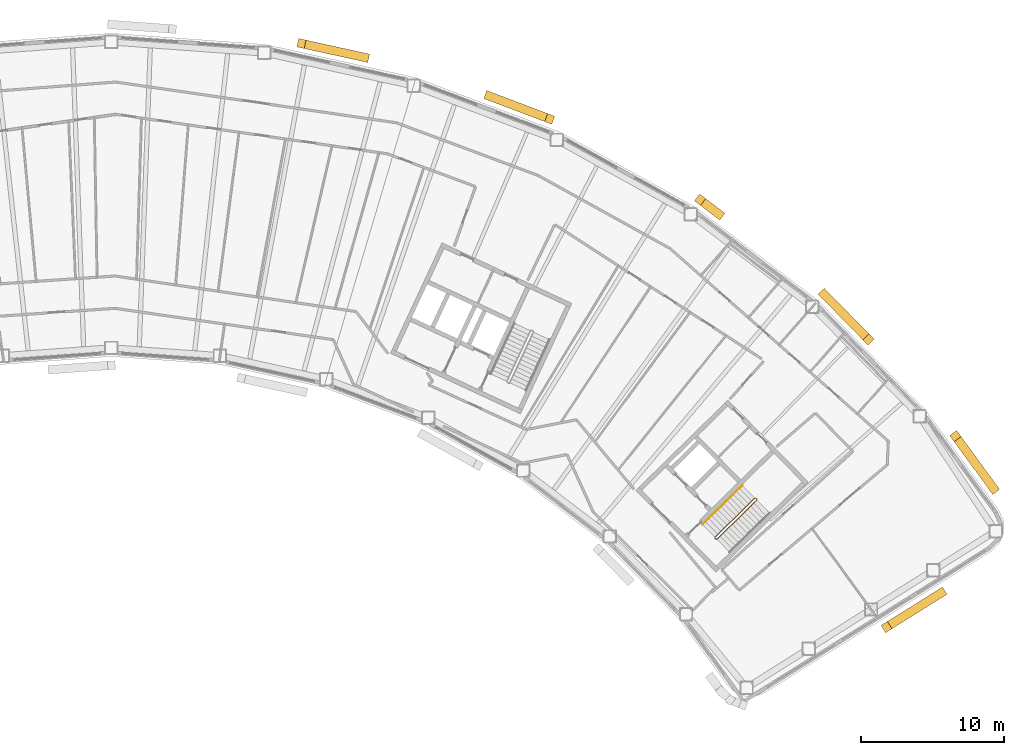
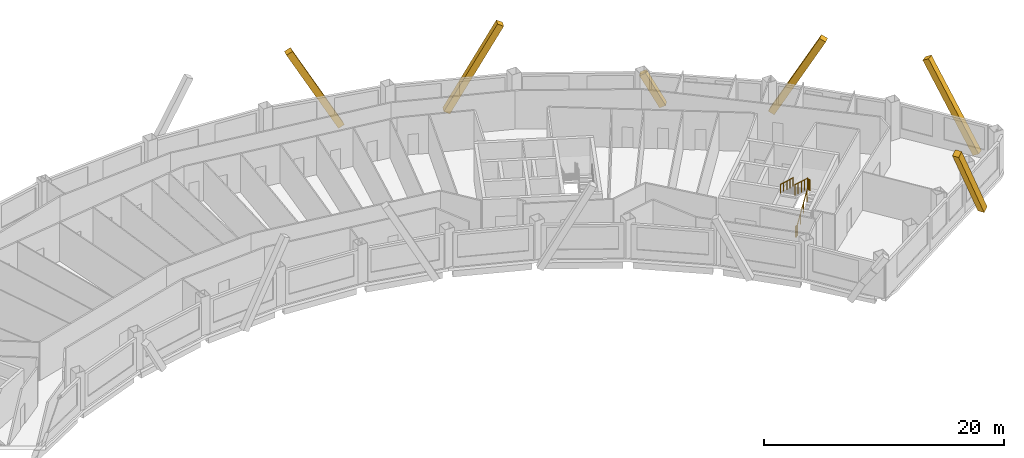
# One storey, part 14 of 14: 6 coverings, 2 railings.
"""IFC4 building model written with IfcOpenShell, lengths in metres."""

from ifc_helpers import new_model, si_unit, direction, frame, origin, origin_2d, place, context, subcontext, project, spatial, rectangle, circle, extrude, material, material_profile, profile_set, type_object, element, save


model = new_model("IFC4")

# Units and contexts
model_context = context("Model", 3, precision=1e-05, world=origin(), true_north=direction((0.0, 1.0)))
body_context = subcontext(model_context, "Body", "Model", "MODEL_VIEW")
ifc_project = project(units=[si_unit("LENGTHUNIT", "METRE"), si_unit("AREAUNIT", "SQUARE_METRE"), si_unit("VOLUMEUNIT", "CUBIC_METRE"), si_unit("PLANEANGLEUNIT", "RADIAN"), si_unit("MASSUNIT", "GRAM", prefix="KILO")], contexts=[model_context])

# Site, building, storey
site_placement = place(None, origin())
site = spatial("IfcSite", under=ifc_project, at=site_placement, CompositionType="ELEMENT")
building_placement = place(site_placement, origin())
building = spatial("IfcBuilding", under=site, at=building_placement, Name="Tuul Gate Civic Tower", CompositionType="ELEMENT")
storey_placement = place(building_placement, frame((0.0, 0.0, 217.89990234375)))
storey = spatial("IfcBuildingStorey", under=building, at=storey_placement, Name="Level 49", CompositionType="ELEMENT", Elevation=217.89990234375)

# Railings
ifc_material_1 = material(Name="Painted steel", Category="steel")
railing_type_1 = type_object("IfcRailingType", Name="Stair guard", PredefinedType="GUARDRAIL", material=ifc_material_1)
railing_1_placement = place(storey_placement, frame((48.10546875, -16.134765625, 0.0)))
element("IfcRailing", 1, at=railing_1_placement, inside=storey, type_object=railing_type_1, Name="Level 49 ST-3 stair guard 1", PredefinedType="GUARDRAIL", context=body_context, shape_type="SweptSolid", body=[
    extrude(circle(Radius=0.02392578125, at=origin_2d()), frame((0.0, 0.0, 1.076171875), z_axis=(-0.698506948293, 0.715603272202, 0.0), x_axis=(-0.715603272202, -0.698506948293, 0.0)), (0.0, 0.0, 1.0), 0.099853515625),
    extrude(circle(Radius=0.02392578125, at=origin_2d()), frame((-0.06982421875, 0.071533203125, 1.076171875), z_axis=(0.644948864628, -0.331432055434, 0.688617277337), x_axis=(0.457068866502, 0.889431307788, 0.0)), (0.0, 0.0, 1.0), 0.218017578125),
    extrude(circle(Radius=0.02392578125, at=origin_2d()), frame((0.07080078125, -0.000732421875, 1.22607421875), z_axis=(0.638731261263, 0.626133563701, 0.447190268558), x_axis=(-0.700029477518, 0.714113947914, 0.0)), (0.0, 0.0, 1.0), 4.3603515625),
    extrude(circle(Radius=0.02392578125, at=origin_2d()), frame((2.85595703125, 2.7294921875, 3.17626953125), z_axis=(0.010380063588, 0.999946125689, 0.0), x_axis=(-0.999946125689, 0.010380063588, 0.0)), (0.0, 0.0, 1.0), 0.070556640625),
    extrude(circle(Radius=0.02392578125, at=origin_2d()), frame((2.856689453125, 2.800048828125, 3.17626953125), z_axis=(-0.699754442181, 0.714383454909, 0.0), x_axis=(-0.714383454909, -0.699754442181, 0.0)), (0.0, 0.0, 1.0), 0.10009765625),
    extrude(circle(Radius=0.02392578125, at=origin_2d()), frame((2.78662109375, 2.87158203125, 3.17626953125), z_axis=(-0.427069033481, 0.004417955519, 0.904208229508), x_axis=(-0.010344274102, -0.999946496565, 0.0)), (0.0, 0.0, 1.0), 0.165771484375),
    extrude(circle(Radius=0.02392578125, at=origin_2d()), frame((2.7158203125, 2.872314453125, 3.326171875), z_axis=(-0.638715268259, -0.626117886127, 0.447235059857), x_axis=(0.700029477518, -0.714113947914, 0.0)), (0.0, 0.0, 1.0), 4.360595703125),
    extrude(circle(Radius=0.02099609375, at=origin_2d()), origin(), (0.0, 0.0, 1.0), 1.052001953125),
    extrude(circle(Radius=0.02099609375, at=origin_2d()), frame((-0.06982421875, 0.071533203125, 0.0)), (0.0, 0.0, 1.0), 1.052001953125),
    extrude(circle(Radius=0.02099609375, at=origin_2d()), frame((0.07080078125, -0.000732421875, 0.150146484375)), (0.0, 0.0, 1.0), 1.052001953125),
    extrude(circle(Radius=0.02099609375, at=origin_2d()), frame((0.76708984375, 0.681884765625, 0.6376953125)), (0.0, 0.0, 1.0), 1.052001953125),
    extrude(circle(Radius=0.02099609375, at=origin_2d()), frame((1.46337890625, 1.3642578125, 1.125)), (0.0, 0.0, 1.0), 1.052001953125),
    extrude(circle(Radius=0.02099609375, at=origin_2d()), frame((2.15966796875, 2.046875, 1.612548828125)), (0.0, 0.0, 1.0), 1.052001953125),
    extrude(circle(Radius=0.02099609375, at=origin_2d()), frame((2.85595703125, 2.7294921875, 2.10009765625)), (0.0, 0.0, 1.0), 1.052001953125),
    extrude(circle(Radius=0.02099609375, at=origin_2d()), frame((2.856689453125, 2.800048828125, 2.10009765625)), (0.0, 0.0, 1.0), 1.052001953125),
    extrude(circle(Radius=0.02099609375, at=origin_2d()), frame((2.78662109375, 2.87158203125, 2.10009765625)), (0.0, 0.0, 1.0), 1.052001953125),
    extrude(circle(Radius=0.02099609375, at=origin_2d()), frame((2.7158203125, 2.872314453125, 2.25)), (0.0, 0.0, 1.0), 1.052001953125),
    extrude(circle(Radius=0.02099609375, at=origin_2d()), frame((2.01953125, 2.189697265625, 2.737548828125)), (0.0, 0.0, 1.0), 1.052001953125),
    extrude(circle(Radius=0.02099609375, at=origin_2d()), frame((1.3232421875, 1.50732421875, 3.22509765625)), (0.0, 0.0, 1.0), 1.052001953125),
    extrude(circle(Radius=0.02099609375, at=origin_2d()), frame((0.626953125, 0.82470703125, 3.712646484375)), (0.0, 0.0, 1.0), 1.052001953125),
    extrude(circle(Radius=0.02099609375, at=origin_2d()), frame((-0.0693359375, 0.14208984375, 4.2001953125)), (0.0, 0.0, 1.0), 1.052001953125),
])
ifc_material_2 = material(Name="Painted steel", Category="steel")
railing_type_2 = type_object("IfcRailingType", Name="Stair handrail", PredefinedType="HANDRAIL", material=ifc_material_2)
railing_2_placement = place(storey_placement, frame((49.9462890625, -12.369873046875, 2.25)))
element("IfcRailing", 2, at=railing_2_placement, inside=storey, type_object=railing_type_2, Name="Level 49 ST-3 stair handrail 2", PredefinedType="HANDRAIL", context=body_context, shape_type="SweptSolid", body=[
    extrude(circle(Radius=0.02392578125, at=origin_2d()), frame((0.0, 0.0, 0.8759765625), z_axis=(-0.638737658801, -0.626083844733, 0.447250737947), x_axis=(0.699997553204, -0.714145241186, 0.0)), (0.0, 0.0, 1.0), 4.3603515625),
    extrude(circle(Radius=0.02099609375, at=origin_2d()), origin(), (0.0, 0.0, 1.0), 0.851806640625),
    extrude(circle(Radius=0.02099609375, at=origin_2d()), frame((-0.6962890625, -0.6826171875, 0.487548828125)), (0.0, 0.0, 1.0), 0.851806640625),
    extrude(circle(Radius=0.02099609375, at=origin_2d()), frame((-1.392578125, -1.364990234375, 0.97509765625)), (0.0, 0.0, 1.0), 0.851806640625),
    extrude(circle(Radius=0.02099609375, at=origin_2d()), frame((-2.0888671875, -2.04736328125, 1.462646484375)), (0.0, 0.0, 1.0), 0.851806640625),
    extrude(circle(Radius=0.02099609375, at=origin_2d()), frame((-2.78515625, -2.72998046875, 1.9501953125)), (0.0, 0.0, 1.0), 0.851806640625),
])

# Coverings
ifc_material_3 = material(Name="Terracotta baguette", Category="masonry")
ifc_material_profile = material_profile(ifc_material_3, rectangle(XDim=0.60009765625, YDim=0.60009765625, at=origin_2d()), Name="Terracotta baguette screen frame")
ifc_profile_set = profile_set([ifc_material_profile], Name="Terracotta baguette")
covering_type = type_object("IfcCoveringType", Name="Terracotta baguette screen frame", PredefinedType="CLADDING", material=ifc_profile_set)
covering_1_placement = place(storey_placement, frame((63.840087890625, -19.85986328125, -0.349853515625), z_axis=(-0.402295613037, -0.25136119713, 0.880327091659), x_axis=(0.529887423043, -0.848067991909, 0.0)))
element("IfcCovering", 3, at=covering_1_placement, inside=storey, type_object=covering_type, Name="Baguette 3", PredefinedType="CLADDING", context=body_context, shape_type="SweptSolid", body=[
    extrude(rectangle(XDim=0.60009765625, YDim=0.60009765625, at=origin_2d()), origin(), (0.0, 0.0, 1.0), 9.541748046875),
])
covering_2_placement = place(storey_placement, frame((67.499755859375, -12.619140625, -0.349853515625), z_axis=(-0.281391306686, 0.385252694939, 0.878862499805), x_axis=(-0.807530403609, -0.589825946569, 0.0)))
element("IfcCovering", 4, at=covering_2_placement, inside=storey, type_object=covering_type, Name="Baguette 18", PredefinedType="CLADDING", context=body_context, shape_type="SweptSolid", body=[
    extrude(rectangle(XDim=0.60009765625, YDim=0.60009765625, at=origin_2d()), origin(), (0.0, 0.0, 1.0), 9.5576171875),
])
covering_3_placement = place(storey_placement, frame((58.745361328125, -2.197998046875, 8.050048828125), z_axis=(-0.332614870984, 0.339347542938, -0.879892375636), x_axis=(-0.714155733534, -0.699986848634, 0.0)))
element("IfcCovering", 5, at=covering_3_placement, inside=storey, type_object=covering_type, Name="Baguette 27", PredefinedType="CLADDING", context=body_context, shape_type="SweptSolid", body=[
    extrude(rectangle(XDim=0.60009765625, YDim=0.60009765625, at=origin_2d()), origin(), (0.0, 0.0, 1.0), 9.355712890625),
])
covering_4_placement = place(storey_placement, frame((48.34326171875, 6.52783203125, -0.349853515625), z_axis=(-0.378068215842, 0.28784582991, 0.879891585579), x_axis=(-0.605768691074, -0.795640806467, 0.0)))
element("IfcCovering", 6, at=covering_4_placement, inside=storey, type_object=covering_type, Name="Baguette 39", PredefinedType="CLADDING", context=body_context, shape_type="SweptSolid", body=[
    extrude(rectangle(XDim=0.60009765625, YDim=0.60009765625, at=origin_2d()), origin(), (0.0, 0.0, 1.0), 3.552978515625),
])
covering_5_placement = place(storey_placement, frame((36.50927734375, 13.189208984375, 8.050048828125), z_axis=(-0.444469529383, 0.168069835852, -0.879885997006), x_axis=(-0.353693598078, -0.935361341236, 0.0)))
element("IfcCovering", 7, at=covering_5_placement, inside=storey, type_object=covering_type, Name="Baguette 51", PredefinedType="CLADDING", context=body_context, shape_type="SweptSolid", body=[
    extrude(rectangle(XDim=0.60009765625, YDim=0.60009765625, at=origin_2d()), origin(), (0.0, 0.0, 1.0), 9.546630859375),
])
covering_6_placement = place(storey_placement, frame((23.62255859375, 17.472412109375, -0.349853515625), z_axis=(-0.464037985813, 0.102244357524, 0.879894788641), x_axis=(-0.215174921103, -0.976575523617, 0.0)))
element("IfcCovering", 8, at=covering_6_placement, inside=storey, type_object=covering_type, Name="Baguette 60", PredefinedType="CLADDING", context=body_context, shape_type="SweptSolid", body=[
    extrude(rectangle(XDim=0.60009765625, YDim=0.60009765625, at=origin_2d()), origin(), (0.0, 0.0, 1.0), 9.54638671875),
])

save(model, "model.ifc")
